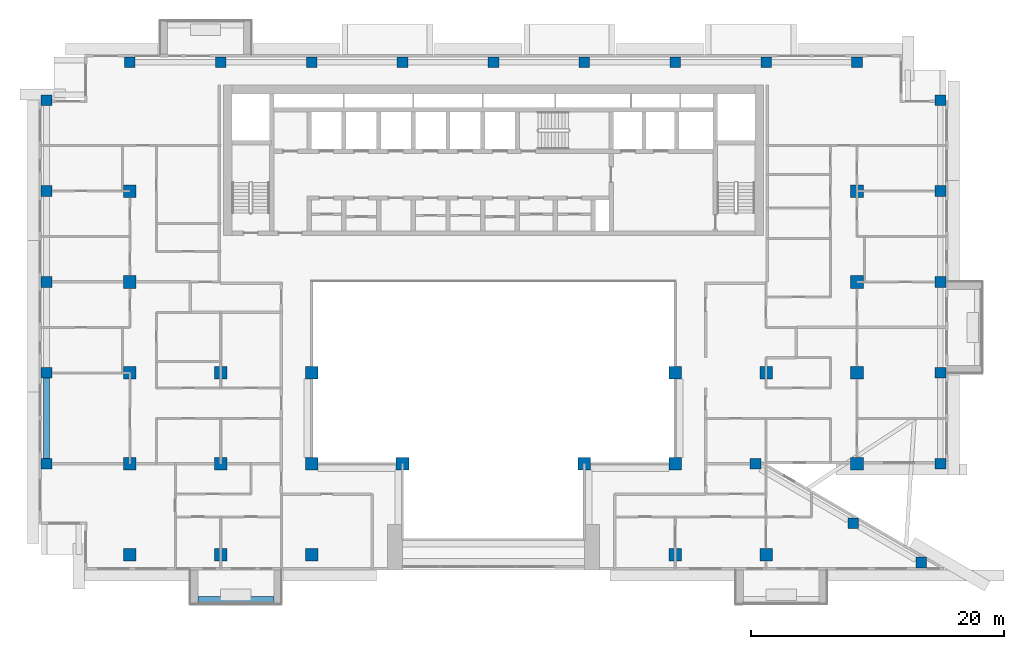
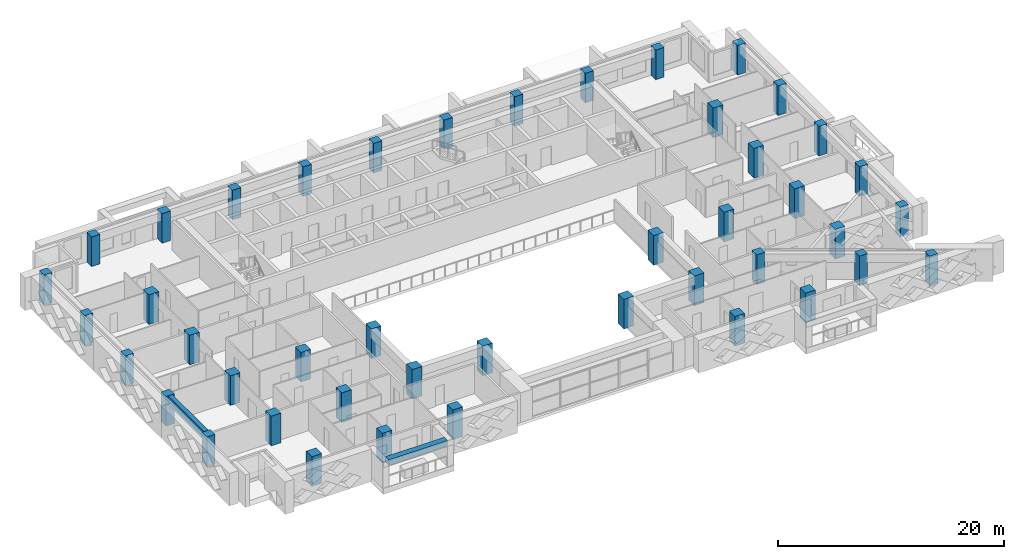
# One storey, part 1 of 20: 44 columns, 2 beams.
"""IFC4 building model written with IfcOpenShell, lengths in metres."""

from ifc_helpers import new_model, si_unit, direction, frame, origin, origin_2d, place, context, subcontext, project, spatial, rectangle, extrude, source, transform, mapped, material, material_profile, profile_set, type_object, element, save


model = new_model("IFC4")

# Units and contexts
model_context = context("Model", 3, precision=1e-05, world=origin(), true_north=direction((0.0, 1.0)))
body_context = subcontext(model_context, "Body", "Model", "MODEL_VIEW")
ifc_project = project(units=[si_unit("LENGTHUNIT", "METRE"), si_unit("AREAUNIT", "SQUARE_METRE"), si_unit("VOLUMEUNIT", "CUBIC_METRE"), si_unit("PLANEANGLEUNIT", "RADIAN"), si_unit("MASSUNIT", "GRAM", prefix="KILO")], contexts=[model_context])

# Site, building, storey
site_placement = place(None, origin())
site = spatial("IfcSite", under=ifc_project, at=site_placement, CompositionType="ELEMENT")
building_placement = place(site_placement, origin())
building = spatial("IfcBuilding", under=site, at=building_placement, Name="Saffron Iwan Residences", CompositionType="ELEMENT")
storey_placement = place(building_placement, frame((0.0, 0.0, 146.5)))
storey = spatial("IfcBuildingStorey", under=building, at=storey_placement, Name="L38", CompositionType="ELEMENT", Elevation=146.5)

# Columns
ifc_material_1 = material(Name="Concrete C50/60", Category="concrete")
ifc_material_profile_1 = material_profile(ifc_material_1, rectangle(XDim=0.85009765625, YDim=0.85009765625, at=origin_2d()), Name="RC 850x850")
ifc_profile_set_1 = profile_set([ifc_material_profile_1], Name="Concrete C50/60")
column_type_1 = type_object("IfcColumnType", Name="COL RC 850x850 C50/60 3200 HIGH", PredefinedType="COLUMN", material=ifc_profile_set_1)
shared_shape_1 = source(origin(), body_context, "Body", "SweptSolid", [
    extrude(rectangle(XDim=0.85009765625, YDim=0.85009765625, at=origin_2d()), origin(), (0.0, 0.0, 1.0), 3.199951171875),
])
for number, where, z_axis, x_axis, name in (
    (1, (84.276123046875, 40.17431640625, 0.0), (0.0, 0.0, 1.0), (1.0, 0.0, 0.0), "Column C045"),
    (2, (78.897705078125, 43.28173828125, 0.0), (0.0, 0.0, 1.0), (1.0, 0.0, 0.0), "Column C058"),
    (3, (15.0, 48.0, 0.0), (0.0, 0.0, 1.0), (1.0, 0.0, 0.0), "Column C061"),
    (4, (71.14990234375, 48.0, 0.0), (0.0, 0.0, 1.0), (1.0, 0.0, 0.0), "Column C070"),
    (5, (85.800048828125, 48.0, 0.0), (0.0, 0.0, 1.0), (1.0, 0.0, 0.0), "Column C074"),
    (6, (15.0, 55.199951171875, 0.0), (0.0, 0.0, 1.0), (1.0, 0.0, 0.0), "Column C077"),
    (7, (85.800048828125, 55.199951171875, 0.0), (0.0, 0.0, 1.0), (1.0, 0.0, 0.0), "Column C086"),
    (8, (15.0, 62.39990234375, 0.0), (0.0, 0.0, 1.0), (1.0, 0.0, 0.0), "Column C089"),
    (9, (85.800048828125, 62.39990234375, 0.0), (0.0, 0.0, 1.0), (1.0, 0.0, 0.0), "Column C094"),
    (10, (15.0, 69.60009765625, 0.0), (0.0, 0.0, 1.0), (1.0, 0.0, 0.0), "Column C097"),
    (11, (85.800048828125, 69.60009765625, 0.0), (0.0, 0.0, 1.0), (1.0, 0.0, 0.0), "Column C102"),
    (12, (15.0, 76.800048828125, 0.0), (0.0, 0.0, 1.0), (1.0, 0.0, 0.0), "Column C105"),
    (13, (85.800048828125, 76.800048828125, 0.0), (0.0, 0.0, 1.0), (1.0, 0.0, 0.0), "Column C110"),
    (14, (21.60009765625, 79.800048828125, 0.0), (0.0, 0.0, 1.0), (1.0, 0.0, 0.0), "Column C113"),
    (15, (28.800048828125, 79.800048828125, 0.0), (0.0, 0.0, 1.0), (1.0, 0.0, 0.0), "Column C115"),
    (16, (36.0, 79.800048828125, 0.0), (0.0, 0.0, 1.0), (1.0, 0.0, 0.0), "Column C116"),
    (17, (43.199951171875, 79.800048828125, 0.0), (0.0, 0.0, 1.0), (1.0, 0.0, 0.0), "Column C117"),
    (18, (50.39990234375, 79.800048828125, 0.0), (0.0, 0.0, 1.0), (1.0, 0.0, 0.0), "Column C118"),
    (19, (57.60009765625, 79.800048828125, 0.0), (0.0, 0.0, 1.0), (1.0, 0.0, 0.0), "Column C119"),
    (20, (64.800048828125, 79.800048828125, 0.0), (0.0, 0.0, 1.0), (1.0, 0.0, 0.0), "Column C120"),
    (21, (72.0, 79.800048828125, 0.0), (0.0, 0.0, 1.0), (1.0, 0.0, 0.0), "Column C121"),
    (22, (79.199951171875, 79.800048828125, 0.0), (0.0, 0.0, 1.0), (1.0, 0.0, 0.0), "Column C123"),
):
    element("IfcColumn", number, at=place(storey_placement, frame(where, z_axis=z_axis, x_axis=x_axis)), inside=storey, type_object=column_type_1, Name=name, PredefinedType="COLUMN", context=body_context, shape_type="MappedRepresentation", body=[
        mapped(shared_shape_1, transform((0.0, 0.0, 0.0))),
    ])
ifc_material_profile_2 = material_profile(ifc_material_1, rectangle(XDim=1.0, YDim=1.0, at=origin_2d()), Name="RC 1000x1000")
ifc_profile_set_2 = profile_set([ifc_material_profile_2], Name="Concrete C50/60")
column_type_2 = type_object("IfcColumnType", Name="COL RC 1000x1000 C50/60 3200 HIGH", PredefinedType="COLUMN", material=ifc_profile_set_2)
shared_shape_2 = source(origin(), body_context, "Body", "SweptSolid", [
    extrude(rectangle(XDim=1.0, YDim=1.0, at=origin_2d()), origin(), (0.0, 0.0, 1.0), 3.199951171875),
])
for number, where, z_axis, x_axis, name in (
    (23, (21.60009765625, 40.800048828125, 0.0), (0.0, 0.0, 1.0), (1.0, 0.0, 0.0), "Column C049"),
    (24, (28.800048828125, 40.800048828125, 0.0), (0.0, 0.0, 1.0), (1.0, 0.0, 0.0), "Column C051"),
    (25, (36.0, 40.800048828125, 0.0), (0.0, 0.0, 1.0), (1.0, 0.0, 0.0), "Column C052"),
    (26, (64.800048828125, 40.800048828125, 0.0), (0.0, 0.0, 1.0), (1.0, 0.0, 0.0), "Column C055"),
    (27, (72.0, 40.800048828125, 0.0), (0.0, 0.0, 1.0), (1.0, 0.0, 0.0), "Column C056"),
    (28, (21.60009765625, 48.0, 0.0), (0.0, 0.0, 1.0), (1.0, 0.0, 0.0), "Column C063"),
    (29, (28.800048828125, 48.0, 0.0), (0.0, 0.0, 1.0), (1.0, 0.0, 0.0), "Column C064"),
    (30, (36.0, 48.0, 0.0), (0.0, 0.0, 1.0), (1.0, 0.0, 0.0), "Column C065"),
    (31, (43.199951171875, 48.0, 0.0), (0.0, 0.0, 1.0), (1.0, 0.0, 0.0), "Column C066"),
    (32, (57.60009765625, 48.0, 0.0), (0.0, 0.0, 1.0), (1.0, 0.0, 0.0), "Column C068"),
    (33, (64.800048828125, 48.0, 0.0), (0.0, 0.0, 1.0), (1.0, 0.0, 0.0), "Column C069"),
    (34, (79.199951171875, 48.0, 0.0), (0.0, 0.0, 1.0), (1.0, 0.0, 0.0), "Column C072"),
    (35, (21.60009765625, 55.199951171875, 0.0), (0.0, 0.0, 1.0), (1.0, 0.0, 0.0), "Column C079"),
    (36, (28.800048828125, 55.199951171875, 0.0), (0.0, 0.0, 1.0), (1.0, 0.0, 0.0), "Column C080"),
    (37, (36.0, 55.199951171875, 0.0), (0.0, 0.0, 1.0), (1.0, 0.0, 0.0), "Column C081"),
    (38, (64.800048828125, 55.199951171875, 0.0), (0.0, 0.0, 1.0), (1.0, 0.0, 0.0), "Column C082"),
    (39, (72.0, 55.199951171875, 0.0), (0.0, 0.0, 1.0), (1.0, 0.0, 0.0), "Column C083"),
    (40, (79.199951171875, 55.199951171875, 0.0), (0.0, 0.0, 1.0), (1.0, 0.0, 0.0), "Column C084"),
    (41, (21.60009765625, 62.39990234375, 0.0), (0.0, 0.0, 1.0), (1.0, 0.0, 0.0), "Column C091"),
    (42, (79.199951171875, 62.39990234375, 0.0), (0.0, 0.0, 1.0), (1.0, 0.0, 0.0), "Column C092"),
    (43, (21.60009765625, 69.60009765625, 0.0), (0.0, 0.0, 1.0), (1.0, 0.0, 0.0), "Column C099"),
    (44, (79.199951171875, 69.60009765625, 0.0), (0.0, 0.0, 1.0), (1.0, 0.0, 0.0), "Column C100"),
):
    element("IfcColumn", number, at=place(storey_placement, frame(where, z_axis=z_axis, x_axis=x_axis)), inside=storey, type_object=column_type_2, Name=name, PredefinedType="COLUMN", context=body_context, shape_type="MappedRepresentation", body=[
        mapped(shared_shape_2, transform((0.0, 0.0, 0.0))),
    ])

# Beams
ifc_material_profile_3 = material_profile(ifc_material_1, rectangle(XDim=0.449951171875, YDim=0.89990234375, at=origin_2d()), Name="RC 450x900")
ifc_profile_set_3 = profile_set([ifc_material_profile_3], Name="Concrete C50/60")
beam_type_1 = type_object("IfcBeamType", Name="SPANDREL BEAM RC 450x900 C50/60 TOP 3200", PredefinedType="SPANDREL", material=ifc_profile_set_3)
shared_shape_3 = source(origin(), body_context, "Body", "SweptSolid", [
    extrude(rectangle(XDim=0.449951171875, YDim=0.89990234375, at=origin_2d()), origin(), (0.0, 0.0, 1.0), 6.349853515625),
])
beam_1_placement = place(storey_placement, frame((15.0, 48.425048828125, 2.75), z_axis=(0.0, 1.0, 0.0), x_axis=(-1.0, 0.0, 0.0)))
element("IfcBeam", 45, at=beam_1_placement, inside=storey, type_object=beam_type_1, Name="Spandrel beam", PredefinedType="SPANDREL", context=body_context, shape_type="MappedRepresentation", body=[
    mapped(shared_shape_3, transform((0.0, 0.0, 0.0))),
])
ifc_material_2 = material(Name="Concrete C50/60 white painted", Category="concrete")
ifc_material_profile_4 = material_profile(ifc_material_2, rectangle(XDim=0.60009765625, YDim=0.60009765625, at=origin_2d()), Name="BALCONY FASCIA BEAM 600 x 600")
ifc_profile_set_4 = profile_set([ifc_material_profile_4], Name="Concrete C50/60 white painted")
beam_type_2 = type_object("IfcBeamType", Name="BALCONY FASCIA BEAM 600 x 600", PredefinedType="BEAM", material=ifc_profile_set_4)
shared_shape_4 = source(origin(), body_context, "Body", "SweptSolid", [
    extrude(rectangle(XDim=0.60009765625, YDim=0.60009765625, at=origin_2d()), origin(), (0.0, 0.0, 1.0), 6.0),
])
beam_2_placement = place(storey_placement, frame((27.0, 37.199951171875, 2.550048828125), z_axis=(1.0, 0.0, 0.0), x_axis=(0.0, 1.0, 0.0)))
element("IfcBeam", 46, at=beam_2_placement, inside=storey, type_object=beam_type_2, Name="Balcony fascia beam L38 11-0", PredefinedType="BEAM", context=body_context, shape_type="MappedRepresentation", body=[
    mapped(shared_shape_4, transform((0.0, 0.0, 0.0))),
])

save(model, "model.ifc")
